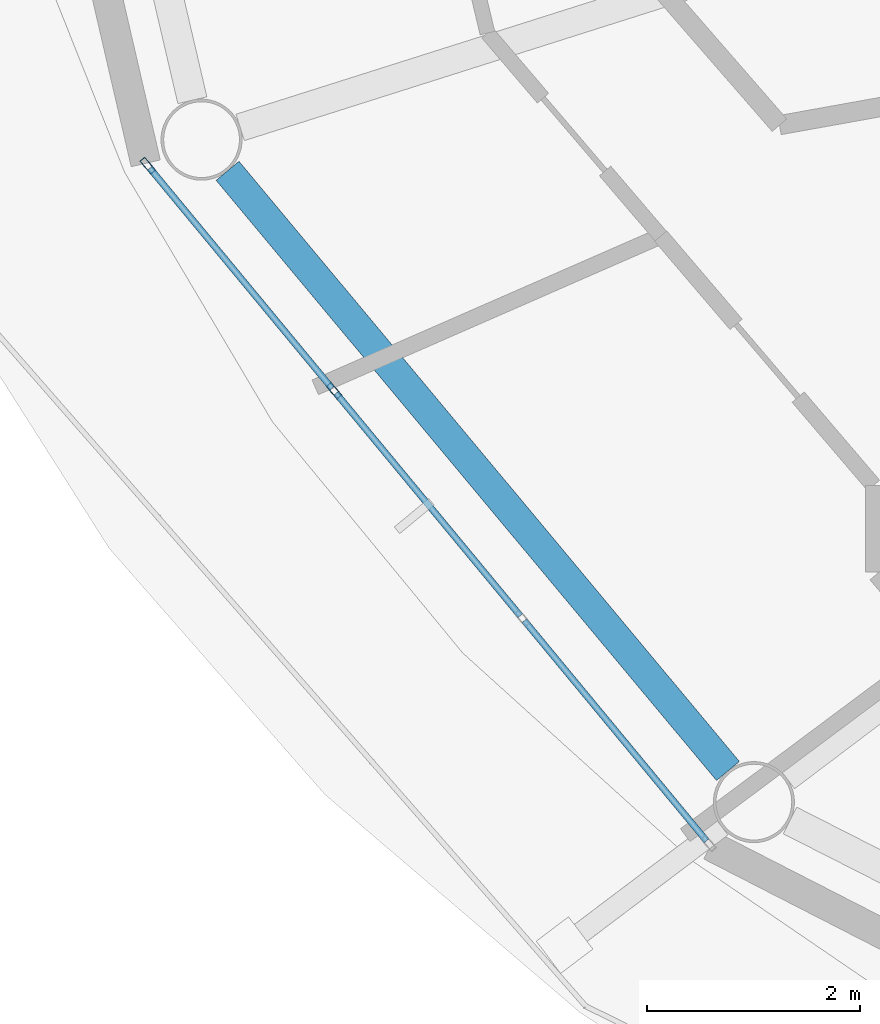
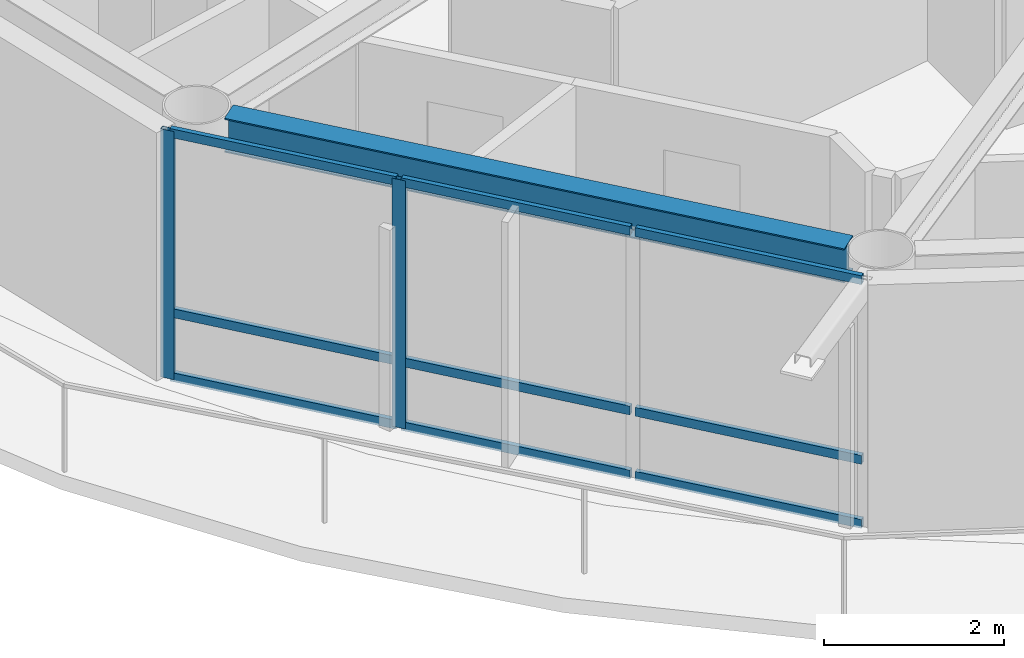
# One storey, part 3 of 22: 11 members, 1 beam, 1 element without a shape of its own.
"""IFC4 building model written with IfcOpenShell, lengths in metres."""

import ifcopenshell
import ifcopenshell.guid

model = None  # the IFC model being written
_history = None  # IfcOwnerHistory: only IFC2X3 demands one
_inside = {}  # id of a spatial element -> (the spatial element, [elements in it])
_under = {}  # id of a project, library or spatial element -> (it, [spatial elements below it])
_declared = {}  # id of a project -> (the project, [libraries it declares])
_typed = {}  # id of a type object -> (the type object, [elements of that type])
_made_of = {}  # id of a material, layer set ... -> (it, [elements and type objects made of it])


def new_model(schema):
    """Start an empty IFC model of exactly this schema.

    Asked for "IFC4X3", IfcOpenShell would pick the latest addendum, in which some entities
    have other attributes; the version numbers below select the first issue.
    IFC2X3 requires an IfcOwnerHistory on every rooted entity: one is made here for all.
    """
    global model, _history
    if schema == "IFC4X3":
        model = ifcopenshell.file(schema_version=(4, 3, 0, 0))
    else:
        model = ifcopenshell.file(schema=schema)
    _inside.clear()
    _under.clear()
    _declared.clear()
    _typed.clear()
    _made_of.clear()
    _history = None
    if model.schema == "IFC2X3":
        org = make("IfcOrganization", Name="unknown")
        user = make(
            "IfcPersonAndOrganization",
            ThePerson=make("IfcPerson", FamilyName="unknown"),
            TheOrganization=org,
        )
        app = make(
            "IfcApplication",
            ApplicationDeveloper=org,
            Version="unknown",
            ApplicationFullName="unknown",
            ApplicationIdentifier="unknown",
        )
        _history = make(
            "IfcOwnerHistory",
            OwningUser=user,
            OwningApplication=app,
            ChangeAction="ADDED",
            CreationDate=0,
        )
    return model


def make(cls, **values):
    """One entity of the class cls with the attributes given. An attribute that is None is left unset."""
    return model.create_entity(
        cls, **{name: value for name, value in values.items() if value is not None}
    )


def rooted(cls, **values):
    """An entity with a GlobalId (a new one), such as an element, a storey or a relation."""
    return make(cls, GlobalId=ifcopenshell.guid.new(), OwnerHistory=_history, **values)


def si_unit(unit_type, name, prefix=None):
    """IfcSIUnit, for example si_unit("LENGTHUNIT", "METRE", prefix="MILLI")."""
    return make("IfcSIUnit", UnitType=unit_type, Prefix=prefix, Name=name)


def assignment(units):
    """IfcUnitAssignment: the units of a project."""
    return None if units is None else make("IfcUnitAssignment", Units=units)


def point(xyz):
    """IfcCartesianPoint."""
    return None if xyz is None else make("IfcCartesianPoint", Coordinates=xyz)


def direction(xyz):
    """IfcDirection."""
    return None if xyz is None else make("IfcDirection", DirectionRatios=xyz)


def frame(location, z_axis=None, x_axis=None):
    """IfcAxis2Placement3D, a coordinate frame: its origin and axes. An axis left out is left unset."""
    return make(
        "IfcAxis2Placement3D",
        Location=point(location),
        Axis=direction(z_axis),
        RefDirection=direction(x_axis),
    )


def frame_2d(location, x_axis=None):
    """IfcAxis2Placement2D, a coordinate frame in the plane: its origin and x axis."""
    return make(
        "IfcAxis2Placement2D", Location=point(location), RefDirection=direction(x_axis)
    )


def origin():
    """The frame at (0, 0, 0) with its axes left unset."""
    return frame((0.0, 0.0, 0.0))


def origin_2d():
    """The frame at (0, 0) in the plane with its x axis left unset."""
    return frame_2d((0.0, 0.0))


def place(relative_to, where):
    """IfcLocalPlacement: puts the frame where relative to a parent placement (None: the world)."""
    return make(
        "IfcLocalPlacement", PlacementRelTo=relative_to, RelativePlacement=where
    )


def context(
    kind, dimensions, precision=None, world=None, true_north=None, identifier=None
):
    """IfcGeometricRepresentationContext, for example the 3D "Model" context."""
    return make(
        "IfcGeometricRepresentationContext",
        ContextIdentifier=identifier,
        ContextType=kind,
        CoordinateSpaceDimension=dimensions,
        Precision=precision,
        WorldCoordinateSystem=world,
        TrueNorth=true_north,
    )


def subcontext(parent, identifier, kind, view, scale=None):
    """IfcGeometricRepresentationSubContext, for example "Body" below "Model"."""
    return make(
        "IfcGeometricRepresentationSubContext",
        ContextIdentifier=identifier,
        ContextType=kind,
        ParentContext=parent,
        TargetScale=scale,
        TargetView=view,
    )


def project(units=None, contexts=None):
    """IfcProject with its units and contexts."""
    return rooted(
        "IfcProject",
        Name="project",
        RepresentationContexts=contexts,
        UnitsInContext=assignment(units),
    )


def spatial(cls, under=None, at=None, **own):
    """A site, building, storey or space (cls), placed at a placement, below another one or the project."""
    s = rooted(cls, ObjectPlacement=at, **own)
    if under is not None:
        _under.setdefault(under.id(), (under, []))[1].append(s)
    return s


def profile(cls, at=None, kind="AREA", **sizes):
    """A parametric profile (cls). Its sizes go by their IFC names, for example OverallWidth=200.0."""
    return make(cls, ProfileType=kind, Position=at, **sizes)


def hollow_rectangle(**sizes):
    """IfcRectangleHollowProfileDef."""
    return profile("IfcRectangleHollowProfileDef", **sizes)


def i_section(**sizes):
    """IfcIShapeProfileDef."""
    return profile("IfcIShapeProfileDef", **sizes)


def extrude(swept, where, along, depth):
    """IfcExtrudedAreaSolid: the profile swept, set in the frame where, extruded along a direction by depth."""
    return make(
        "IfcExtrudedAreaSolid",
        SweptArea=swept,
        Position=where,
        ExtrudedDirection=direction(along),
        Depth=depth,
    )


def shape(context_of_items, identifier, shape_type, items):
    """IfcShapeRepresentation: the items that make up one representation, for example the "Body"."""
    return make(
        "IfcShapeRepresentation",
        ContextOfItems=context_of_items,
        RepresentationIdentifier=identifier,
        RepresentationType=shape_type,
        Items=items,
    )


def material(Name=None, Category=None):
    """IfcMaterial."""
    return make("IfcMaterial", Name=Name, Category=Category)


def layer(
    of_material, thickness, ventilated=None, Name=None, Category=None, Priority=None
):
    """IfcMaterialLayer: one layer of a wall or slab, of a material (None: an air gap)."""
    return make(
        "IfcMaterialLayer",
        Material=of_material,
        LayerThickness=thickness,
        IsVentilated=ventilated,
        Name=Name,
        Category=Category,
        Priority=Priority,
    )


def layer_set(layers, Name=None):
    """IfcMaterialLayerSet."""
    return make("IfcMaterialLayerSet", MaterialLayers=layers, LayerSetName=Name)


def material_profile(
    of_material, cross_section, Name=None, Category=None, Priority=None
):
    """IfcMaterialProfile: a cross section and its material."""
    return make(
        "IfcMaterialProfile",
        Name=Name,
        Material=of_material,
        Profile=cross_section,
        Priority=Priority,
        Category=Category,
    )


def profile_set(profiles, Name=None, composite=None):
    """IfcMaterialProfileSet."""
    return make(
        "IfcMaterialProfileSet",
        Name=Name,
        MaterialProfiles=profiles,
        CompositeProfile=composite,
    )


def made_of(thing, what):
    """Note that an element or type object is made of a material, layer set ...; save() writes the relation."""
    if what is not None:
        _made_of.setdefault(what.id(), (what, []))[1].append(thing)
    return thing


def type_object(cls, material=None, **own):
    """A type object (cls), such as IfcWallType, which elements share."""
    return made_of(rooted(cls, **own), material)


def element(
    cls,
    number,
    at=None,
    inside=None,
    cuts=None,
    type_object=None,
    material=None,
    context=None,
    identifier="Body",
    shape_type=None,
    held_by="IfcProductDefinitionShape",
    body=None,
    shapes=None,
    **own,
):
    """One element of the class cls, such as IfcWall. Its Tag is "e" and its number.

    at: its placement. inside: the storey or other place that contains it. cuts: it is an
    opening in that element (IfcRelVoidsElement). A single representation is given by context,
    identifier, shape_type and body (its items); several are given by shapes. held_by: the class
    of the entity that holds the representations. save() writes the other relations.
    """
    e = rooted(cls, Tag="e%d" % number, ObjectPlacement=at, **own)
    if body is not None:
        shapes = [shape(context, identifier, shape_type, body)]
    if shapes is not None:
        e.Representation = make(held_by, Representations=shapes)
    if inside is not None:
        _inside.setdefault(inside.id(), (inside, []))[1].append(e)
    if cuts is not None:
        rooted(
            "IfcRelVoidsElement", RelatingBuildingElement=cuts, RelatedOpeningElement=e
        )
    if type_object is not None:
        _typed.setdefault(type_object.id(), (type_object, []))[1].append(e)
    return made_of(e, material)


def aggregate(whole, parts):
    """IfcRelAggregates: a whole, such as a stair, and the parts it consists of."""
    return rooted("IfcRelAggregates", RelatingObject=whole, RelatedObjects=parts)


def save(model, path):
    """Write the relations noted so far, then the file.

    IfcRelAggregates (storeys below a building ...), IfcRelContainedInSpatialStructure (elements
    in a storey), IfcRelDefinesByType, IfcRelAssociatesMaterial and IfcRelDeclares: one each for
    every whole, place, type object, material and project.
    """
    for whole, parts in _under.values():
        aggregate(whole, parts)
    for where, things in _inside.values():
        rooted(
            "IfcRelContainedInSpatialStructure",
            RelatedElements=things,
            RelatingStructure=where,
        )
    for kind, things in _typed.values():
        rooted("IfcRelDefinesByType", RelatedObjects=things, RelatingType=kind)
    for what, things in _made_of.values():
        rooted("IfcRelAssociatesMaterial", RelatedObjects=things, RelatingMaterial=what)
    for by, libraries in _declared.values():
        rooted("IfcRelDeclares", RelatingContext=by, RelatedDefinitions=libraries)
    model.write(path)


model = new_model("IFC4")

# Units and contexts
model_context = context("Model", 3, precision=1e-05, world=origin(), true_north=direction((0.0, 1.0)))
body_context = subcontext(model_context, "Body", "Model", "MODEL_VIEW")
ifc_project = project(units=[si_unit("LENGTHUNIT", "METRE"), si_unit("AREAUNIT", "SQUARE_METRE"), si_unit("VOLUMEUNIT", "CUBIC_METRE"), si_unit("PLANEANGLEUNIT", "RADIAN"), si_unit("MASSUNIT", "GRAM", prefix="KILO")], contexts=[model_context])

# Site, building, storey
site_placement = place(None, origin())
site = spatial("IfcSite", under=ifc_project, at=site_placement, CompositionType="ELEMENT")
building_placement = place(site_placement, origin())
building = spatial("IfcBuilding", under=site, at=building_placement, Name="Sarneth Arch Tower", CompositionType="ELEMENT")
storey_placement = place(building_placement, frame((0.0, 0.0, 287.39990234375)))
storey = spatial("IfcBuildingStorey", under=building, at=storey_placement, Name="L74", CompositionType="ELEMENT", Elevation=287.39990234375)

# Beam
ifc_material_1 = material(Name="Steel S355", Category="steel")
ifc_material_profile_1 = material_profile(ifc_material_1, i_section(OverallWidth=0.280029296875, OverallDepth=0.462890625, WebThickness=0.0107421875, FlangeThickness=0.017333984375, FilletRadius=0.01806640625, at=origin_2d()), Name="W460x113")
ifc_profile_set_1 = profile_set([ifc_material_profile_1], Name="Steel S355")
beam_type = type_object("IfcBeamType", Name="BM-RAD-460A", PredefinedType="BEAM", material=ifc_profile_set_1)
beam_placement = place(storey_placement, frame((25.0751953125, 34.35986328125, 3.138671875), z_axis=(0.640377192996, -0.768060577487, 0.0), x_axis=(0.768060577487, 0.640377192996, 0.0)))
element("IfcBeam", 1, at=beam_placement, inside=storey, type_object=beam_type, Name="L74 Perimeter spandrel beam 10", PredefinedType="BEAM", context=body_context, shape_type="SweptSolid", body=[
    extrude(i_section(OverallWidth=0.280029296875, OverallDepth=0.462890625, WebThickness=0.0107421875, FlangeThickness=0.017333984375, FilletRadius=0.01806640625, at=origin_2d()), origin(), (0.0, 0.0, 1.0), 7.34814453125),
])

# Curtain wall, members
ifc_material_2 = material(Name="Anodised aluminium Type AA25 and solar-control low-e laminated IGU", Category="aluminium")
ifc_layer = layer(ifc_material_2, 0.179931640625)
ifc_layer_set = layer_set([ifc_layer], Name="Anodised aluminium Type AA25 and solar-control low-e laminated IGU")
curtain_wall_type = type_object("IfcCurtainWallType", Name="CW-RES-HIGH", PredefinedType="NOTDEFINED", material=ifc_layer_set)
curtain_wall_placement = place(storey_placement, origin())
curtain_wall = element("IfcCurtainWall", 2, at=curtain_wall_placement, inside=storey, type_object=curtain_wall_type, Name="L74 Unitised curtain wall facet 10", PredefinedType="NOTDEFINED")
ifc_material_3 = material(Name="Anodised Aluminium 6063-T6", Category="aluminium")
ifc_material_profile_2 = material_profile(ifc_material_3, hollow_rectangle(XDim=0.06005859375, YDim=0.159912109375, WallThickness=0.00390625, at=origin_2d()), Name="AL-MULL-160x60x4")
ifc_profile_set_2 = profile_set([ifc_material_profile_2], Name="Anodised Aluminium 6063-T6")
member_type_1 = type_object("IfcMemberType", Name="CW-MULLION", PredefinedType="MULLION", material=ifc_profile_set_2)
member_1_placement = place(storey_placement, frame((24.325439453125, 34.407470703125, 0.0), z_axis=(0.0, 0.0, 1.0), x_axis=(0.770359245933, 0.637610094184, 0.0)))
member_1 = element("IfcMember", 3, at=member_1_placement, type_object=member_type_1, Name="CW-SYS-6 mullion 1", PredefinedType="MULLION", context=body_context, shape_type="SweptSolid", body=[
    extrude(hollow_rectangle(XDim=0.06005859375, YDim=0.159912109375, WallThickness=0.00390625, at=origin_2d()), origin(), (0.0, 0.0, 1.0), 3.3701171875),
])
member_2_placement = place(storey_placement, frame((26.07666015625, 32.29150390625, 0.0), z_axis=(0.0, 0.0, 1.0), x_axis=(0.770359245933, 0.637610094184, 0.0)))
member_2 = element("IfcMember", 4, at=member_2_placement, type_object=member_type_1, Name="CW-SYS-6 mullion 2", PredefinedType="MULLION", context=body_context, shape_type="SweptSolid", body=[
    extrude(hollow_rectangle(XDim=0.06005859375, YDim=0.159912109375, WallThickness=0.00390625, at=origin_2d()), origin(), (0.0, 0.0, 1.0), 3.3701171875),
])
ifc_material_4 = material(Name="Anodised Aluminium 6063-T6", Category="aluminium")
ifc_material_profile_3 = material_profile(ifc_material_4, hollow_rectangle(XDim=0.06005859375, YDim=0.1201171875, WallThickness=0.00390625, at=origin_2d()), Name="AL-TRAN-120x60x4")
ifc_profile_set_3 = profile_set([ifc_material_profile_3], Name="Anodised Aluminium 6063-T6")
member_type_2 = type_object("IfcMemberType", Name="CW-TRANSOM", PredefinedType="USERDEFINED", material=ifc_profile_set_3)
member_3_placement = place(storey_placement, frame((24.344482421875, 34.38427734375, 0.030029296875), z_axis=(0.637651400067, -0.770325056059, 0.0), x_axis=(0.770325056059, 0.637651400067, 0.0)))
member_3 = element("IfcMember", 5, at=member_3_placement, type_object=member_type_2, Name="CW-SYS-6 transom 1.1", ObjectType="TRANSOM", PredefinedType="USERDEFINED", context=body_context, shape_type="SweptSolid", body=[
    extrude(hollow_rectangle(XDim=0.06005859375, YDim=0.1201171875, WallThickness=0.00390625, at=origin_2d()), origin(), (0.0, 0.0, 1.0), 2.6865234375),
])
member_4_placement = place(storey_placement, frame((24.344482421875, 34.38427734375, 0.900146484375), z_axis=(0.637651400067, -0.770325056059, 0.0), x_axis=(0.770325056059, 0.637651400067, 0.0)))
member_4 = element("IfcMember", 6, at=member_4_placement, type_object=member_type_2, Name="CW-SYS-6 transom 1.2", ObjectType="TRANSOM", PredefinedType="USERDEFINED", context=body_context, shape_type="SweptSolid", body=[
    extrude(hollow_rectangle(XDim=0.06005859375, YDim=0.1201171875, WallThickness=0.00390625, at=origin_2d()), origin(), (0.0, 0.0, 1.0), 2.6865234375),
])
member_5_placement = place(storey_placement, frame((24.344482421875, 34.38427734375, 3.340087890625), z_axis=(0.637651400067, -0.770325056059, 0.0), x_axis=(0.770325056059, 0.637651400067, 0.0)))
member_5 = element("IfcMember", 7, at=member_5_placement, type_object=member_type_2, Name="CW-SYS-6 transom 1.3", ObjectType="TRANSOM", PredefinedType="USERDEFINED", context=body_context, shape_type="SweptSolid", body=[
    extrude(hollow_rectangle(XDim=0.06005859375, YDim=0.1201171875, WallThickness=0.00390625, at=origin_2d()), origin(), (0.0, 0.0, 1.0), 2.6865234375),
])
member_6_placement = place(storey_placement, frame((26.095703125, 32.268310546875, 0.030029296875), z_axis=(0.637617371902, -0.770353222261, 0.0), x_axis=(0.770353222261, 0.637617371902, 0.0)))
member_6 = element("IfcMember", 8, at=member_6_placement, type_object=member_type_2, Name="CW-SYS-6 transom 2.1", ObjectType="TRANSOM", PredefinedType="USERDEFINED", context=body_context, shape_type="SweptSolid", body=[
    extrude(hollow_rectangle(XDim=0.06005859375, YDim=0.1201171875, WallThickness=0.00390625, at=origin_2d()), origin(), (0.0, 0.0, 1.0), 2.716552734375),
])
member_7_placement = place(storey_placement, frame((26.095703125, 32.268310546875, 0.900146484375), z_axis=(0.637617371902, -0.770353222261, 0.0), x_axis=(0.770353222261, 0.637617371902, 0.0)))
member_7 = element("IfcMember", 9, at=member_7_placement, type_object=member_type_2, Name="CW-SYS-6 transom 2.2", ObjectType="TRANSOM", PredefinedType="USERDEFINED", context=body_context, shape_type="SweptSolid", body=[
    extrude(hollow_rectangle(XDim=0.06005859375, YDim=0.1201171875, WallThickness=0.00390625, at=origin_2d()), origin(), (0.0, 0.0, 1.0), 2.716552734375),
])
member_8_placement = place(storey_placement, frame((26.095703125, 32.268310546875, 3.340087890625), z_axis=(0.637617371902, -0.770353222261, 0.0), x_axis=(0.770353222261, 0.637617371902, 0.0)))
member_8 = element("IfcMember", 10, at=member_8_placement, type_object=member_type_2, Name="CW-SYS-6 transom 2.3", ObjectType="TRANSOM", PredefinedType="USERDEFINED", context=body_context, shape_type="SweptSolid", body=[
    extrude(hollow_rectangle(XDim=0.06005859375, YDim=0.1201171875, WallThickness=0.00390625, at=origin_2d()), origin(), (0.0, 0.0, 1.0), 2.716552734375),
])
member_9_placement = place(storey_placement, frame((27.8662109375, 30.12939453125, 0.030029296875), z_axis=(0.637606765719, -0.770362000821, 0.0), x_axis=(0.770362000821, 0.637606765719, 0.0)))
member_9 = element("IfcMember", 11, at=member_9_placement, type_object=member_type_2, Name="CW-SYS-6 transom 3.1", ObjectType="TRANSOM", PredefinedType="USERDEFINED", context=body_context, shape_type="SweptSolid", body=[
    extrude(hollow_rectangle(XDim=0.06005859375, YDim=0.1201171875, WallThickness=0.00390625, at=origin_2d()), origin(), (0.0, 0.0, 1.0), 2.686767578125),
])
member_10_placement = place(storey_placement, frame((27.8662109375, 30.12939453125, 0.900146484375), z_axis=(0.637606765719, -0.770362000821, 0.0), x_axis=(0.770362000821, 0.637606765719, 0.0)))
member_10 = element("IfcMember", 12, at=member_10_placement, type_object=member_type_2, Name="CW-SYS-6 transom 3.2", ObjectType="TRANSOM", PredefinedType="USERDEFINED", context=body_context, shape_type="SweptSolid", body=[
    extrude(hollow_rectangle(XDim=0.06005859375, YDim=0.1201171875, WallThickness=0.00390625, at=origin_2d()), origin(), (0.0, 0.0, 1.0), 2.686767578125),
])
member_11_placement = place(storey_placement, frame((27.8662109375, 30.12939453125, 3.340087890625), z_axis=(0.637606765719, -0.770362000821, 0.0), x_axis=(0.770362000821, 0.637606765719, 0.0)))
member_11 = element("IfcMember", 13, at=member_11_placement, type_object=member_type_2, Name="CW-SYS-6 transom 3.3", ObjectType="TRANSOM", PredefinedType="USERDEFINED", context=body_context, shape_type="SweptSolid", body=[
    extrude(hollow_rectangle(XDim=0.06005859375, YDim=0.1201171875, WallThickness=0.00390625, at=origin_2d()), origin(), (0.0, 0.0, 1.0), 2.686767578125),
])
aggregate(curtain_wall, [member_1, member_2, member_3, member_4, member_5, member_6, member_7, member_8, member_9, member_10, member_11])

save(model, "model.ifc")
